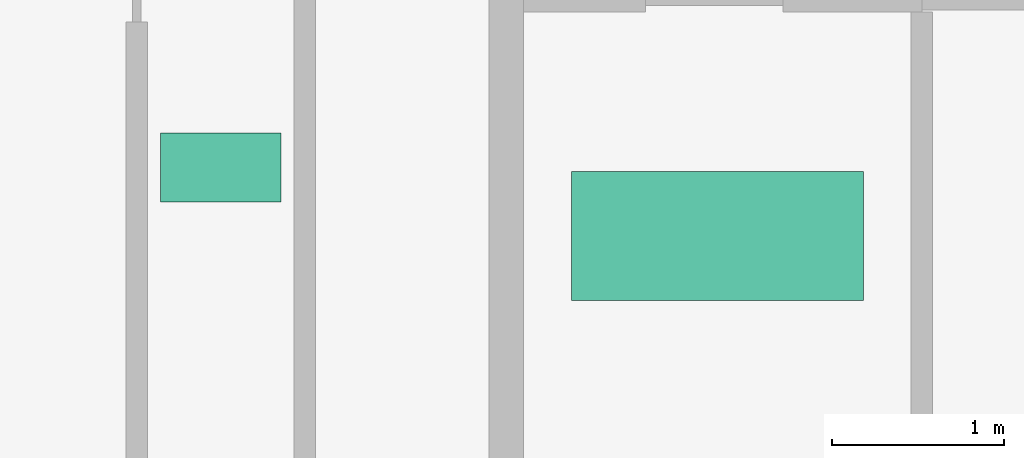
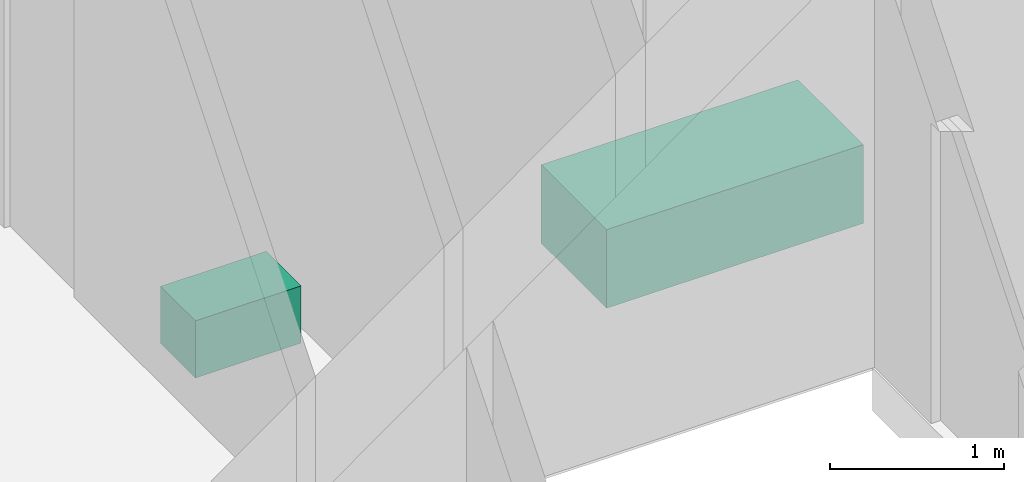
# One storey, part 9 of 9: 2 sanitary terminals.
"""IFC4 building model written with IfcOpenShell, lengths in metres."""

from ifc_helpers import new_model, si_unit, direction, frame, origin, origin_2d, place, context, subcontext, project, spatial, rectangle, extrude, material, type_object, element, save


model = new_model("IFC4")

# Units and contexts
model_context = context("Model", 3, precision=1e-05, world=origin(), true_north=direction((0.0, 1.0)))
body_context = subcontext(model_context, "Body", "Model", "MODEL_VIEW")
ifc_project = project(units=[si_unit("LENGTHUNIT", "METRE"), si_unit("AREAUNIT", "SQUARE_METRE"), si_unit("VOLUMEUNIT", "CUBIC_METRE"), si_unit("PLANEANGLEUNIT", "RADIAN"), si_unit("MASSUNIT", "GRAM", prefix="KILO")], contexts=[model_context])

# Site, building, storey
site_placement = place(None, origin())
site = spatial("IfcSite", under=ifc_project, at=site_placement, CompositionType="ELEMENT")
building_placement = place(site_placement, origin())
building = spatial("IfcBuilding", under=site, at=building_placement, Name="Girih Gate Residences", CompositionType="ELEMENT")
storey_placement = place(building_placement, frame((0.0, 0.0, 226.094970703125)))
storey = spatial("IfcBuildingStorey", under=building, at=storey_placement, Name="L63", CompositionType="ELEMENT", Elevation=226.094970703125)

# Sanitary terminals
ifc_material_1 = material(Name="Acrylic")
sanitary_terminal_type_1 = type_object("IfcSanitaryTerminalType", Name="Bath 1700", PredefinedType="BATH", material=ifc_material_1)
sanitary_terminal_1_placement = place(storey_placement, frame((10.22802734375, 41.4541015625, 0.0), z_axis=(0.0, 0.0, 1.0), x_axis=(1.0, 0.0, 0.0)))
element("IfcSanitaryTerminal", 1, at=sanitary_terminal_1_placement, inside=storey, type_object=sanitary_terminal_type_1, Name="Bath 1700 L63", PredefinedType="BATH", context=body_context, shape_type="SweptSolid", body=[
    extrude(rectangle(XDim=1.699951171875, YDim=0.75, at=origin_2d()), origin(), (0.0, 0.0, 1.0), 0.550048828125),
])
ifc_material_2 = material(Name="Vitreous china")
sanitary_terminal_type_2 = type_object("IfcSanitaryTerminalType", Name="WC pan", PredefinedType="TOILETPAN", material=ifc_material_2)
sanitary_terminal_2_placement = place(storey_placement, frame((7.337890625, 41.85400390625, 0.0), z_axis=(0.0, 0.0, 1.0), x_axis=(1.0, 0.0, 0.0)))
element("IfcSanitaryTerminal", 2, at=sanitary_terminal_2_placement, inside=storey, type_object=sanitary_terminal_type_2, Name="WC pan L63", PredefinedType="TOILETPAN", context=body_context, shape_type="SweptSolid", body=[
    extrude(rectangle(XDim=0.699951171875, YDim=0.39990234375, at=origin_2d()), origin(), (0.0, 0.0, 1.0), 0.39990234375),
])

save(model, "model.ifc")
